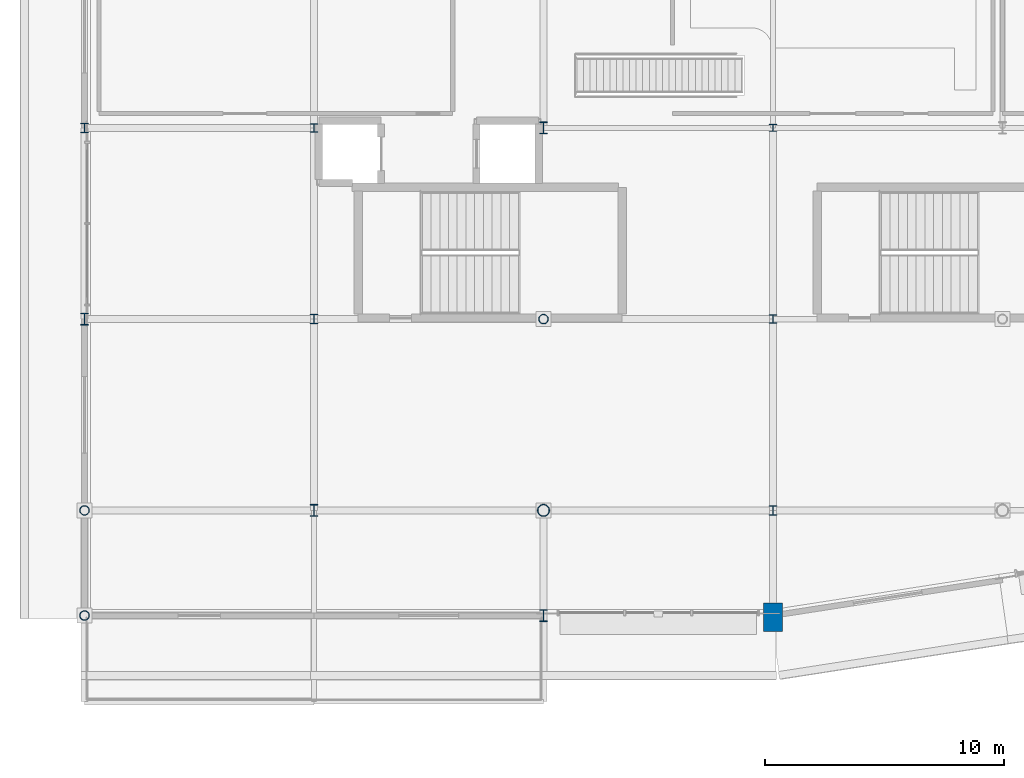
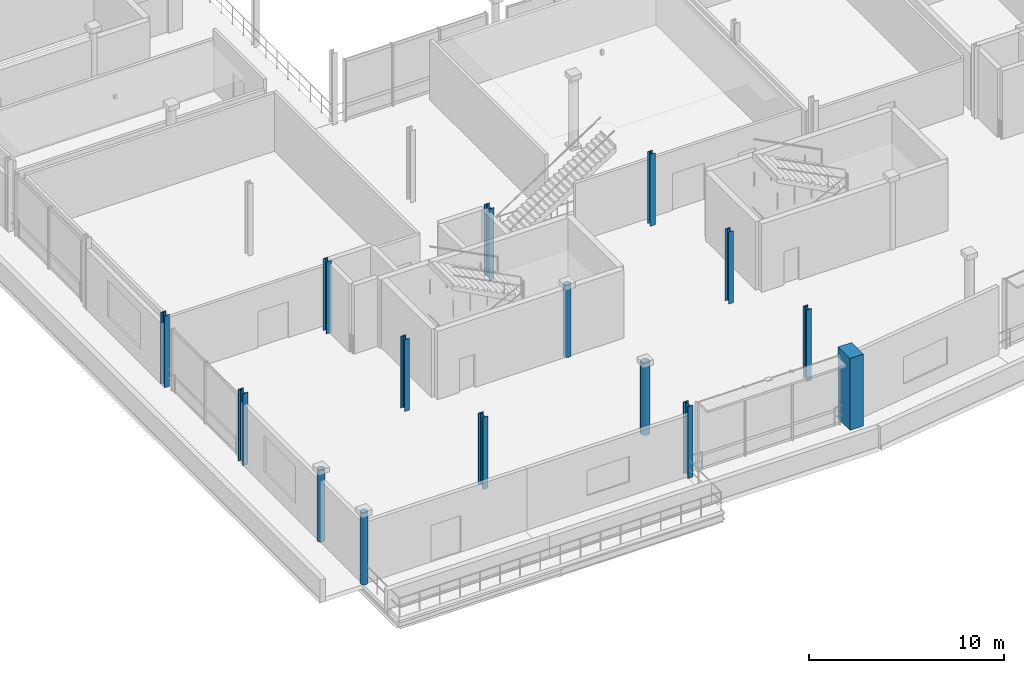
# One storey, part 1 of 59: 15 columns.
"""IFC4 building model written with IfcOpenShell, lengths in metres."""

from ifc_helpers import new_model, si_unit, direction, frame, origin, origin_2d, place, context, subcontext, project, spatial, rectangle, hollow_circle, i_section, extrude, material, material_profile, profile_set, type_object, element, save


model = new_model("IFC4")

# Units and contexts
model_context = context("Model", 3, precision=1e-05, world=origin(), true_north=direction((0.0, 1.0)))
body_context = subcontext(model_context, "Body", "Model", "MODEL_VIEW")
ifc_project = project(units=[si_unit("LENGTHUNIT", "METRE"), si_unit("AREAUNIT", "SQUARE_METRE"), si_unit("VOLUMEUNIT", "CUBIC_METRE"), si_unit("PLANEANGLEUNIT", "RADIAN"), si_unit("MASSUNIT", "GRAM", prefix="KILO")], contexts=[model_context])

# Site, building, storey
site_placement = place(None, origin())
site = spatial("IfcSite", under=ifc_project, at=site_placement, CompositionType="ELEMENT")
building_placement = place(site_placement, origin())
building = spatial("IfcBuilding", under=site, at=building_placement, Name="Danafjord Basin Convention Centre", CompositionType="ELEMENT")
storey_placement = place(building_placement, frame((0.0, 0.0, 15.89990234375)))
storey = spatial("IfcBuildingStorey", under=building, at=storey_placement, Name="L03", CompositionType="ELEMENT", Elevation=15.89990234375)

# Columns
ifc_material_1 = material(Name="Steel S355", Category="steel")
ifc_material_profile_1 = material_profile(ifc_material_1, hollow_circle(Radius=0.203125, WallThickness=0.02001953125, at=origin_2d()), Name="CHS 406.4x20.0")
ifc_profile_set_1 = profile_set([ifc_material_profile_1], Name="Steel S355")
column_type_1 = type_object("IfcColumnType", Name="COL-C-CHS406", PredefinedType="COLUMN", material=ifc_profile_set_1)
for number, where, z_axis, x_axis, name in (
    (1, (0.0, 8.0, 0.0), (0.0, 0.0, 1.0), (1.0, 0.0, 0.0), "L03 column C-CHS406 at (0.0, 8.0)"),
    (2, (19.199951171875, 16.0, 0.0), (0.0, 0.0, 1.0), (1.0, 0.0, 0.0), "L03 column C-CHS406 at (19.2, 16.0)"),
    (3, (0.0, 3.60009765625, 0.0), (0.0, 0.0, 1.0), (1.0, 0.0, 0.0), "L03 column C-CHS406 at (0.0, 3.6)"),
):
    element("IfcColumn", number, at=place(storey_placement, frame(where, z_axis=z_axis, x_axis=x_axis)), inside=storey, type_object=column_type_1, Name=name, PredefinedType="COLUMN", context=body_context, shape_type="SweptSolid", body=[
        extrude(hollow_circle(Radius=0.203125, WallThickness=0.02001953125, at=origin_2d()), origin(), (0.0, 0.0, 1.0), 4.5),
    ])
ifc_material_profile_2 = material_profile(ifc_material_1, hollow_circle(Radius=0.25390625, WallThickness=0.02490234375, at=origin_2d()), Name="CHS 508.0x25.0")
ifc_profile_set_2 = profile_set([ifc_material_profile_2], Name="Steel S355")
column_type_2 = type_object("IfcColumnType", Name="COL-C-CHS508", PredefinedType="COLUMN", material=ifc_profile_set_2)
column_1_placement = place(storey_placement, frame((19.199951171875, 8.0, 0.0), z_axis=(0.0, 0.0, 1.0), x_axis=(1.0, 0.0, 0.0)))
element("IfcColumn", 4, at=column_1_placement, inside=storey, type_object=column_type_2, Name="L03 column C-CHS508 at (19.2, 8.0)", PredefinedType="COLUMN", context=body_context, shape_type="SweptSolid", body=[
    extrude(hollow_circle(Radius=0.25390625, WallThickness=0.02490234375, at=origin_2d()), origin(), (0.0, 0.0, 1.0), 4.5),
])
ifc_material_profile_3 = material_profile(ifc_material_1, i_section(OverallWidth=0.300048828125, OverallDepth=0.300048828125, WebThickness=0.010986328125, FlangeThickness=0.01904296875, FilletRadius=0.027099609375, at=origin_2d()), Name="HEB 300")
ifc_profile_set_3 = profile_set([ifc_material_profile_3], Name="Steel S355")
column_type_3 = type_object("IfcColumnType", Name="COL-C-HEB300", PredefinedType="COLUMN", material=ifc_profile_set_3)
column_2_placement = place(storey_placement, frame((28.800048828125, 24.0, 0.0), z_axis=(0.0, 0.0, 1.0), x_axis=(1.0, 0.0, 0.0)))
element("IfcColumn", 5, at=column_2_placement, inside=storey, type_object=column_type_3, Name="L03 column C-HEB300 at (28.8, 24.0)", PredefinedType="COLUMN", context=body_context, shape_type="SweptSolid", body=[
    extrude(i_section(OverallWidth=0.300048828125, OverallDepth=0.300048828125, WebThickness=0.010986328125, FlangeThickness=0.01904296875, FilletRadius=0.027099609375, at=origin_2d()), origin(), (0.0, 0.0, 1.0), 4.5),
])
ifc_material_profile_4 = material_profile(ifc_material_1, i_section(OverallWidth=0.300048828125, OverallDepth=0.360107421875, WebThickness=0.012451171875, FlangeThickness=0.0224609375, FilletRadius=0.027099609375, at=origin_2d()), Name="HEB 360")
ifc_profile_set_4 = profile_set([ifc_material_profile_4], Name="Steel S355")
column_type_4 = type_object("IfcColumnType", Name="COL-C-HEB360", PredefinedType="COLUMN", material=ifc_profile_set_4)
for number, where, z_axis, x_axis, name in (
    (6, (9.60009765625, 24.0, 0.0), (0.0, 0.0, 1.0), (1.0, 0.0, 0.0), "L03 column C-HEB360 at (9.6, 24.0)"),
    (7, (28.800048828125, 16.0, 0.0), (0.0, 0.0, 1.0), (1.0, 0.0, 0.0), "L03 column C-HEB360 at (28.8, 16.0)"),
):
    element("IfcColumn", number, at=place(storey_placement, frame(where, z_axis=z_axis, x_axis=x_axis)), inside=storey, type_object=column_type_4, Name=name, PredefinedType="COLUMN", context=body_context, shape_type="SweptSolid", body=[
        extrude(i_section(OverallWidth=0.300048828125, OverallDepth=0.360107421875, WebThickness=0.012451171875, FlangeThickness=0.0224609375, FilletRadius=0.027099609375, at=origin_2d()), origin(), (0.0, 0.0, 1.0), 4.5),
    ])
ifc_material_profile_5 = material_profile(ifc_material_1, i_section(OverallWidth=0.300048828125, OverallDepth=0.39990234375, WebThickness=0.013427734375, FlangeThickness=0.02392578125, FilletRadius=0.027099609375, at=origin_2d()), Name="HEB 400")
ifc_profile_set_5 = profile_set([ifc_material_profile_5], Name="Steel S355")
column_type_5 = type_object("IfcColumnType", Name="COL-C-HEB400", PredefinedType="COLUMN", material=ifc_profile_set_5)
for number, where, z_axis, x_axis, name in (
    (8, (0.0, 24.0, 0.0), (0.0, 0.0, 1.0), (1.0, 0.0, 0.0), "L03 column C-HEB400 at (0.0, 24.0)"),
    (9, (9.60009765625, 16.0, 0.0), (0.0, 0.0, 1.0), (1.0, 0.0, 0.0), "L03 column C-HEB400 at (9.6, 16.0)"),
    (10, (28.800048828125, 8.0, 0.0), (0.0, 0.0, 1.0), (1.0, 0.0, 0.0), "L03 column C-HEB400 at (28.8, 8.0)"),
):
    element("IfcColumn", number, at=place(storey_placement, frame(where, z_axis=z_axis, x_axis=x_axis)), inside=storey, type_object=column_type_5, Name=name, PredefinedType="COLUMN", context=body_context, shape_type="SweptSolid", body=[
        extrude(i_section(OverallWidth=0.300048828125, OverallDepth=0.39990234375, WebThickness=0.013427734375, FlangeThickness=0.02392578125, FilletRadius=0.027099609375, at=origin_2d()), origin(), (0.0, 0.0, 1.0), 4.5),
    ])
ifc_material_profile_6 = material_profile(ifc_material_1, i_section(OverallWidth=0.300048828125, OverallDepth=0.5, WebThickness=0.014404296875, FlangeThickness=0.028076171875, FilletRadius=0.027099609375, at=origin_2d()), Name="HEB 500")
ifc_profile_set_6 = profile_set([ifc_material_profile_6], Name="Steel S355")
column_type_6 = type_object("IfcColumnType", Name="COL-C-HEB500", PredefinedType="COLUMN", material=ifc_profile_set_6)
for number, where, z_axis, x_axis, name in (
    (11, (0.0, 16.0, 0.0), (0.0, 0.0, 1.0), (1.0, 0.0, 0.0), "L03 column C-HEB500 at (0.0, 16.0)"),
    (12, (9.60009765625, 8.0, 0.0), (0.0, 0.0, 1.0), (1.0, 0.0, 0.0), "L03 column C-HEB500 at (9.6, 8.0)"),
    (13, (19.199951171875, 24.0, 0.0), (0.0, 0.0, 1.0), (1.0, 0.0, 0.0), "L03 column C-HEB500 at (19.2, 24.0)"),
    (14, (19.199951171875, 3.60009765625, 0.0), (0.0, 0.0, 1.0), (1.0, 0.0, 0.0), "L03 column C-HEB500 at (19.2, 3.6)"),
):
    element("IfcColumn", number, at=place(storey_placement, frame(where, z_axis=z_axis, x_axis=x_axis)), inside=storey, type_object=column_type_6, Name=name, PredefinedType="COLUMN", context=body_context, shape_type="SweptSolid", body=[
        extrude(i_section(OverallWidth=0.300048828125, OverallDepth=0.5, WebThickness=0.014404296875, FlangeThickness=0.028076171875, FilletRadius=0.027099609375, at=origin_2d()), origin(), (0.0, 0.0, 1.0), 4.5),
    ])
ifc_material_2 = material(Name="Precast concrete C45/55", Category="concrete")
ifc_material_profile_7 = material_profile(ifc_material_2, rectangle(XDim=0.800048828125, YDim=1.199951171875, at=origin_2d()), Name="RC 1200x800")
ifc_profile_set_7 = profile_set([ifc_material_profile_7], Name="Precast concrete C45/55")
column_type_7 = type_object("IfcColumnType", Name="COL-C-PIL1200", PredefinedType="PILASTER", material=ifc_profile_set_7)
column_3_placement = place(storey_placement, frame((28.800048828125, 3.530029296875, 0.0), z_axis=(0.0, 0.0, 1.0), x_axis=(1.0, 0.0, 0.0)))
element("IfcColumn", 15, at=column_3_placement, inside=storey, type_object=column_type_7, Name="L03 column C-PIL1200 at (28.8, 3.5)", PredefinedType="PILASTER", context=body_context, shape_type="SweptSolid", body=[
    extrude(rectangle(XDim=0.800048828125, YDim=1.199951171875, at=origin_2d()), origin(), (0.0, 0.0, 1.0), 4.5),
])

save(model, "model.ifc")
